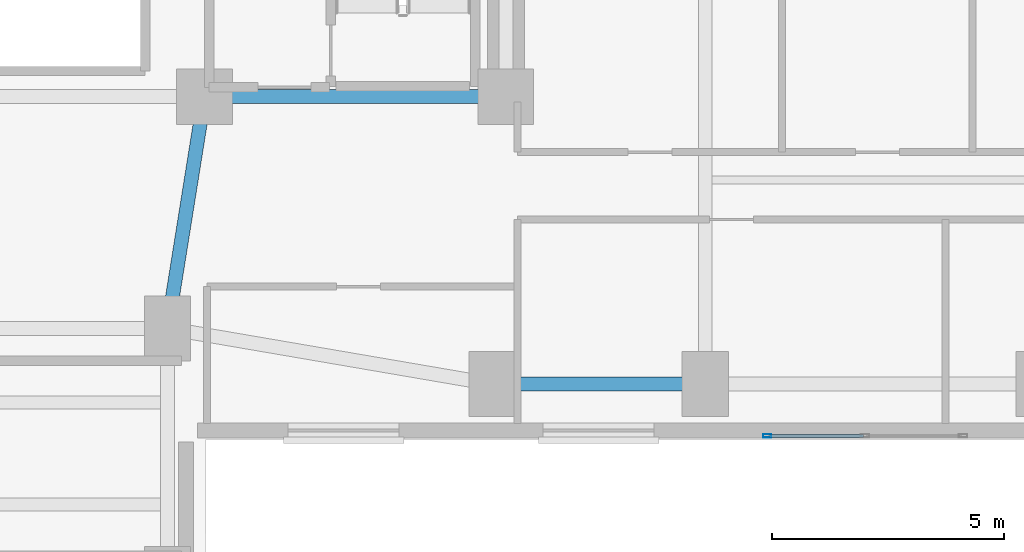
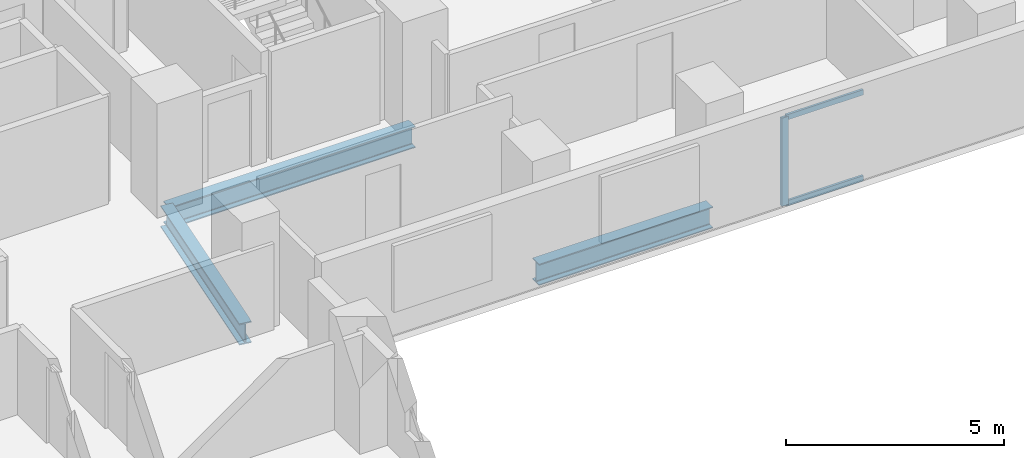
# One storey, part 4 of 17: 3 beams, 3 members, 1 element without a shape of its own.
"""IFC4 building model written with IfcOpenShell, lengths in metres."""

from ifc_helpers import new_model, si_unit, direction, frame, origin, origin_2d, place, context, subcontext, project, spatial, hollow_rectangle, i_section, extrude, material, material_profile, profile_set, type_object, element, aggregate, save


model = new_model("IFC4")

# Units and contexts
model_context = context("Model", 3, precision=1e-05, world=origin(), true_north=direction((0.0, 1.0)))
body_context = subcontext(model_context, "Body", "Model", "MODEL_VIEW")
ifc_project = project(units=[si_unit("LENGTHUNIT", "METRE"), si_unit("AREAUNIT", "SQUARE_METRE"), si_unit("VOLUMEUNIT", "CUBIC_METRE"), si_unit("PLANEANGLEUNIT", "RADIAN"), si_unit("MASSUNIT", "GRAM", prefix="KILO")], contexts=[model_context])

# Site, building, storey
site_placement = place(None, origin())
site = spatial("IfcSite", under=ifc_project, at=site_placement, CompositionType="ELEMENT")
building_placement = place(site_placement, origin())
building = spatial("IfcBuilding", under=site, at=building_placement, Name="Kuzgunbayir Cultural Tower", CompositionType="ELEMENT")
storey_placement = place(building_placement, frame((0.0, 0.0, 43.60009765625)))
storey = spatial("IfcBuildingStorey", under=building, at=storey_placement, Name="L11", CompositionType="ELEMENT", Elevation=43.60009765625)

# Beams
ifc_material_1 = material(Name="Steel S355J2", Category="steel")
ifc_material_profile_1 = material_profile(ifc_material_1, i_section(OverallWidth=0.300048828125, OverallDepth=0.60009765625, WebThickness=0.015380859375, FlangeThickness=0.030029296875, FilletRadius=0.027099609375, at=origin_2d()), Name="HEB 600")
ifc_profile_set_1 = profile_set([ifc_material_profile_1], Name="Steel S355J2")
beam_type_1 = type_object("IfcBeamType", Name="BM-EXT-HEB600", PredefinedType="BEAM", material=ifc_profile_set_1)
beam_1_placement = place(storey_placement, frame((26.60009765625, 27.60009765625, -0.47998046875), z_axis=(1.0, 0.0, 0.0), x_axis=(0.0, 1.0, 0.0)))
element("IfcBeam", 1, at=beam_1_placement, inside=storey, type_object=beam_type_1, Name="L11 Wing B South Girder 1", PredefinedType="BEAM", context=body_context, shape_type="SweptSolid", body=[
    extrude(i_section(OverallWidth=0.300048828125, OverallDepth=0.60009765625, WebThickness=0.015380859375, FlangeThickness=0.030029296875, FilletRadius=0.027099609375, at=origin_2d()), origin(), (0.0, 0.0, 1.0), 4.599853515625),
])
ifc_material_profile_2 = material_profile(ifc_material_1, i_section(OverallWidth=0.300048828125, OverallDepth=0.60009765625, WebThickness=0.015380859375, FlangeThickness=0.030029296875, FilletRadius=0.027099609375, at=origin_2d()), Name="HEB 600")
ifc_profile_set_2 = profile_set([ifc_material_profile_2], Name="Steel S355J2")
beam_type_2 = type_object("IfcBeamType", Name="BM-GIR-HEB600", PredefinedType="BEAM", material=ifc_profile_set_2)
beam_2_placement = place(storey_placement, frame((20.39990234375, 33.800048828125, -0.47998046875), z_axis=(1.0, 0.0, 0.0), x_axis=(0.0, 1.0, 0.0)))
element("IfcBeam", 2, at=beam_2_placement, inside=storey, type_object=beam_type_2, Name="L11 Core South Girder 3", PredefinedType="BEAM", context=body_context, shape_type="SweptSolid", body=[
    extrude(i_section(OverallWidth=0.300048828125, OverallDepth=0.60009765625, WebThickness=0.015380859375, FlangeThickness=0.030029296875, FilletRadius=0.027099609375, at=origin_2d()), origin(), (0.0, 0.0, 1.0), 6.5),
])
beam_3_placement = place(storey_placement, frame((19.60009765625, 28.800048828125, -0.47998046875), z_axis=(0.157952891656, 0.987446648694, 0.0), x_axis=(-0.987446648694, 0.157952891656, 0.0)))
element("IfcBeam", 3, at=beam_3_placement, inside=storey, type_object=beam_type_2, Name="L11 Wing A East Core Floor Girder", PredefinedType="BEAM", context=body_context, shape_type="SweptSolid", body=[
    extrude(i_section(OverallWidth=0.300048828125, OverallDepth=0.60009765625, WebThickness=0.015380859375, FlangeThickness=0.030029296875, FilletRadius=0.027099609375, at=origin_2d()), origin(), (0.0, 0.0, 1.0), 5.0634765625),
])

# Curtain wall, members
ifc_material_2 = material(Name="Anodised Aluminium Framing", Category="aluminium")
curtain_wall_type = type_object("IfcCurtainWallType", Name="CW03-T1-OFFICE", PredefinedType="NOTDEFINED", material=ifc_material_2)
curtain_wall_placement = place(storey_placement, origin())
curtain_wall = element("IfcCurtainWall", 4, at=curtain_wall_placement, inside=storey, type_object=curtain_wall_type, Name="L11 Wing B South Feature Curtain Wall", PredefinedType="NOTDEFINED")
ifc_material_profile_3 = material_profile(ifc_material_2, hollow_rectangle(XDim=0.074951171875, YDim=0.179931640625, WallThickness=0.0048828125, at=origin_2d()), Name="RHS 180x75x5")
ifc_profile_set_3 = profile_set([ifc_material_profile_3], Name="Anodised Aluminium Framing")
member_type_1 = type_object("IfcMemberType", Name="MEM-CW-MULLION-180", PredefinedType="MULLION", material=ifc_profile_set_3)
member_1_placement = place(storey_placement, frame((32.53759765625, 26.47998046875, 0.0), z_axis=(0.0, 0.0, 1.0), x_axis=(0.0, 1.0, 0.0)))
member_1 = element("IfcMember", 5, at=member_1_placement, type_object=member_type_1, Name="CW03 mullion 1", PredefinedType="MULLION", context=body_context, shape_type="SweptSolid", body=[
    extrude(hollow_rectangle(XDim=0.074951171875, YDim=0.179931640625, WallThickness=0.0048828125, at=origin_2d()), origin(), (0.0, 0.0, 1.0), 2.469970703125),
])
ifc_material_profile_4 = material_profile(ifc_material_2, hollow_rectangle(XDim=0.06005859375, YDim=0.14990234375, WallThickness=0.00390625, at=origin_2d()), Name="RHS 150x60x4")
ifc_profile_set_4 = profile_set([ifc_material_profile_4], Name="Anodised Aluminium Framing")
member_type_2 = type_object("IfcMemberType", Name="MEM-CW-TRANSOM-150", PredefinedType="USERDEFINED", material=ifc_profile_set_4)
member_2_placement = place(storey_placement, frame((32.574951171875, 26.47998046875, 0.02978515625), z_axis=(1.0, 0.0, 0.0), x_axis=(0.0, 1.0, 0.0)))
member_2 = element("IfcMember", 6, at=member_2_placement, type_object=member_type_2, Name="CW03 transom 1.1", ObjectType="TRANSOM", PredefinedType="USERDEFINED", context=body_context, shape_type="SweptSolid", body=[
    extrude(hollow_rectangle(XDim=0.06005859375, YDim=0.14990234375, WallThickness=0.00390625, at=origin_2d()), origin(), (0.0, 0.0, 1.0), 2.03759765625),
])
member_3_placement = place(storey_placement, frame((32.574951171875, 26.47998046875, 2.43994140625), z_axis=(1.0, 0.0, 0.0), x_axis=(0.0, 1.0, 0.0)))
member_3 = element("IfcMember", 7, at=member_3_placement, type_object=member_type_2, Name="CW03 transom 1.2", ObjectType="TRANSOM", PredefinedType="USERDEFINED", context=body_context, shape_type="SweptSolid", body=[
    extrude(hollow_rectangle(XDim=0.06005859375, YDim=0.14990234375, WallThickness=0.00390625, at=origin_2d()), origin(), (0.0, 0.0, 1.0), 2.03759765625),
])
aggregate(curtain_wall, [member_1, member_2, member_3])

save(model, "model.ifc")
